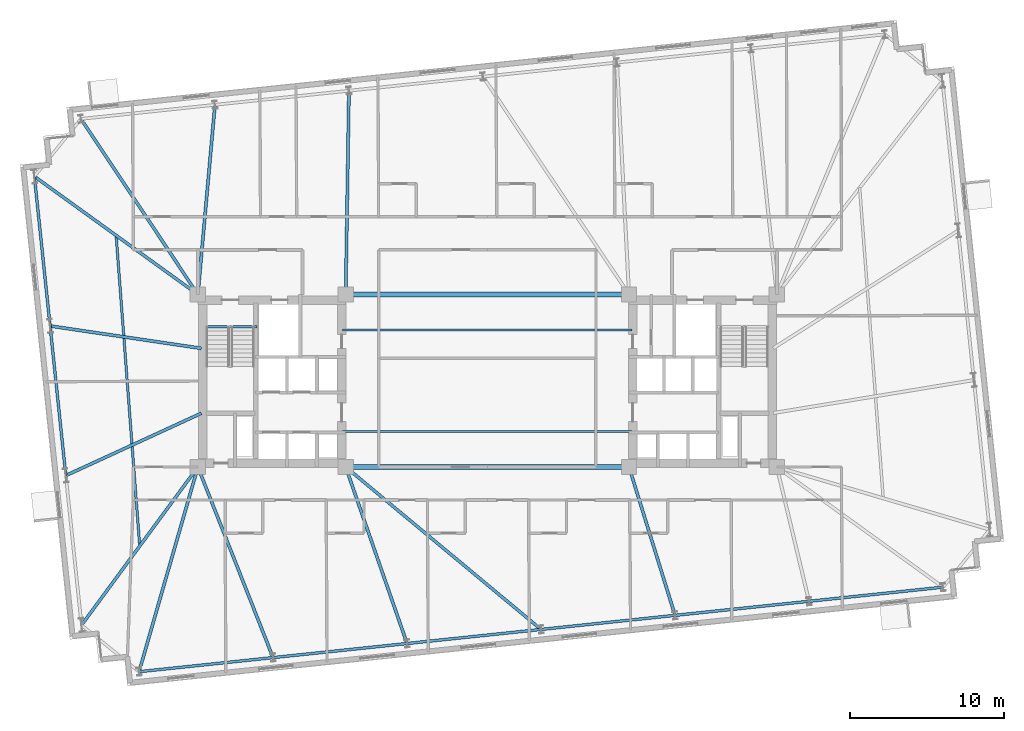
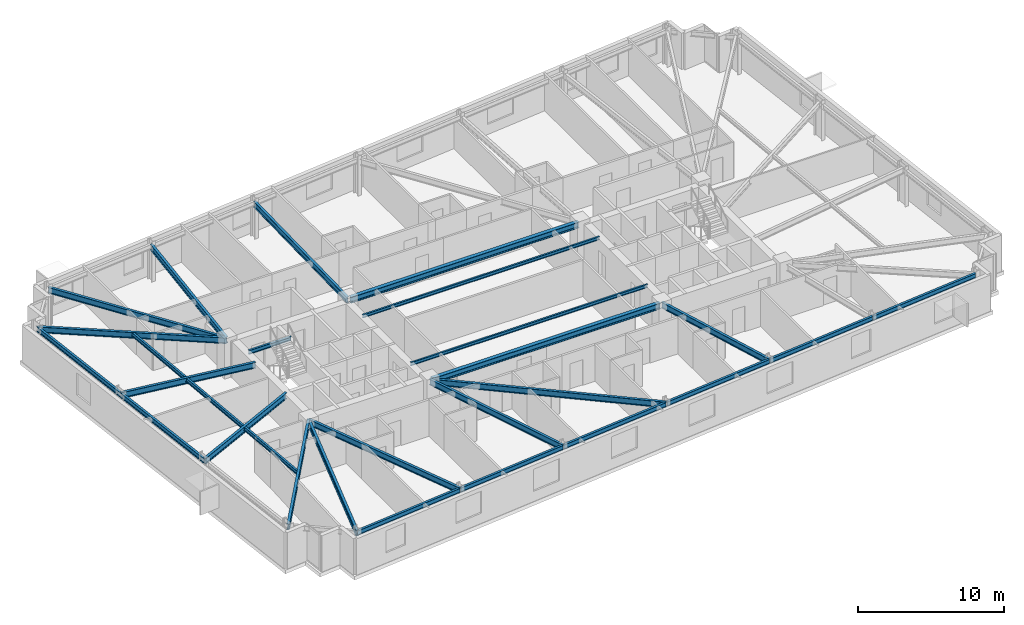
# One storey, part 5 of 18: 26 beams.
"""IFC4 building model written with IfcOpenShell, lengths in metres."""

from ifc_helpers import new_model, si_unit, direction, frame, origin, origin_2d, place, context, subcontext, project, spatial, i_section, extrude, material, material_profile, profile_set, type_object, element, save


model = new_model("IFC4")

# Units and contexts
model_context = context("Model", 3, precision=1e-05, world=origin(), true_north=direction((0.0, 1.0)))
body_context = subcontext(model_context, "Body", "Model", "MODEL_VIEW")
ifc_project = project(units=[si_unit("LENGTHUNIT", "METRE"), si_unit("AREAUNIT", "SQUARE_METRE"), si_unit("VOLUMEUNIT", "CUBIC_METRE"), si_unit("PLANEANGLEUNIT", "RADIAN"), si_unit("MASSUNIT", "GRAM", prefix="KILO")], contexts=[model_context])

# Site, building, storey
site_placement = place(None, origin())
site = spatial("IfcSite", under=ifc_project, at=site_placement, CompositionType="ELEMENT")
building_placement = place(site_placement, origin())
building = spatial("IfcBuilding", under=site, at=building_placement, Name="Qobustan Lattice House", CompositionType="ELEMENT")
storey_placement = place(building_placement, frame((0.0, 0.0, 119.199951171875)))
storey = spatial("IfcBuildingStorey", under=building, at=storey_placement, Name="L33", CompositionType="ELEMENT", Elevation=119.199951171875)

# Beams
ifc_material_1 = material(Name="Steel S355", Category="steel")
ifc_material_profile_1 = material_profile(ifc_material_1, i_section(OverallWidth=0.300048828125, OverallDepth=0.5, WebThickness=0.014404296875, FlangeThickness=0.028076171875, FilletRadius=0.027099609375, at=origin_2d()), Name="HEB500")
ifc_profile_set_1 = profile_set([ifc_material_profile_1], Name="Steel S355")
beam_type_1 = type_object("IfcBeamType", Name="BM-CG-HEB500", PredefinedType="USERDEFINED", material=ifc_profile_set_1)
for number, where, z_axis, x_axis, name in (
    (1, (-9.050048828125, -5.60009765625, 2.795166015625), (1.0, 0.0, 0.0), (0.0, 1.0, 0.0), "L33 core spine girder CG-CS"),
    (2, (-9.050048828125, 5.60009765625, 2.795166015625), (1.0, 0.0, 0.0), (0.0, 1.0, 0.0), "L33 core spine girder CG-CN"),
):
    element("IfcBeam", number, at=place(storey_placement, frame(where, z_axis=z_axis, x_axis=x_axis)), inside=storey, type_object=beam_type_1, Name=name, ObjectType="GIRDER", PredefinedType="USERDEFINED", context=body_context, shape_type="SweptSolid", body=[
        extrude(i_section(OverallWidth=0.300048828125, OverallDepth=0.5, WebThickness=0.014404296875, FlangeThickness=0.028076171875, FilletRadius=0.027099609375, at=origin_2d()), origin(), (0.0, 0.0, 1.0), 18.10009765625),
    ])
ifc_material_2 = material(Name="Steel S355", Category="steel")
ifc_material_profile_2 = material_profile(ifc_material_2, i_section(OverallWidth=0.199951171875, OverallDepth=0.5, WebThickness=0.01025390625, FlangeThickness=0.01611328125, FilletRadius=0.02099609375, at=origin_2d()), Name="IPE500")
ifc_profile_set_2 = profile_set([ifc_material_profile_2], Name="Steel S355")
beam_type_2 = type_object("IfcBeamType", Name="BM-FLG-IPE500", PredefinedType="USERDEFINED", material=ifc_profile_set_2)
beam_1_placement = place(storey_placement, frame((-22.612548828125, -18.87109375, 2.795166015625), z_axis=(0.276115177845, 0.961124554136, 0.0), x_axis=(-0.961124554136, 0.276115177845, 0.0)))
element("IfcBeam", 3, at=beam_1_placement, inside=storey, type_object=beam_type_2, Name="L33 primary floor girder RAD-S1W", ObjectType="GIRDER", PredefinedType="USERDEFINED", context=body_context, shape_type="SweptSolid", body=[
    extrude(i_section(OverallWidth=0.199951171875, OverallDepth=0.5, WebThickness=0.01025390625, FlangeThickness=0.01611328125, FilletRadius=0.02099609375, at=origin_2d()), origin(), (0.0, 0.0, 1.0), 13.782958984375),
])
beam_2_placement = place(storey_placement, frame((-13.926513671875, -17.95703125, 2.795166015625), z_axis=(-0.366884358141, 0.930266557365, 0.0), x_axis=(-0.930266557365, -0.366884358141, 0.0)))
element("IfcBeam", 4, at=beam_2_placement, inside=storey, type_object=beam_type_2, Name="L33 primary floor girder RAD-S2", ObjectType="GIRDER", PredefinedType="USERDEFINED", context=body_context, shape_type="SweptSolid", body=[
    extrude(i_section(OverallWidth=0.199951171875, OverallDepth=0.5, WebThickness=0.01025390625, FlangeThickness=0.01611328125, FilletRadius=0.02099609375, at=origin_2d()), origin(), (0.0, 0.0, 1.0), 13.25830078125),
])
beam_3_placement = place(storey_placement, frame((-5.223388671875, -17.0419921875, 2.795166015625), z_axis=(-0.328289533586, 0.94457714462, 0.0), x_axis=(-0.94457714462, -0.328289533586, 0.0)))
element("IfcBeam", 5, at=beam_3_placement, inside=storey, type_object=beam_type_2, Name="L33 primary floor girder RAD-S3", ObjectType="GIRDER", PredefinedType="USERDEFINED", context=body_context, shape_type="SweptSolid", body=[
    extrude(i_section(OverallWidth=0.199951171875, OverallDepth=0.5, WebThickness=0.01025390625, FlangeThickness=0.01611328125, FilletRadius=0.02099609375, at=origin_2d()), origin(), (0.0, 0.0, 1.0), 12.08837890625),
])
beam_4_placement = place(storey_placement, frame((3.467529296875, -16.135009765625, 2.795166015625), z_axis=(-0.768858311844, 0.639419186691, 0.0), x_axis=(-0.639419186691, -0.768858311844, 0.0)))
element("IfcBeam", 6, at=beam_4_placement, inside=storey, type_object=beam_type_2, Name="L33 primary floor girder RAD-S4", ObjectType="GIRDER", PredefinedType="USERDEFINED", context=body_context, shape_type="SweptSolid", body=[
    extrude(i_section(OverallWidth=0.199951171875, OverallDepth=0.5, WebThickness=0.01025390625, FlangeThickness=0.01611328125, FilletRadius=0.02099609375, at=origin_2d()), origin(), (0.0, 0.0, 1.0), 16.450927734375),
])
beam_5_placement = place(storey_placement, frame((12.181396484375, -15.212646484375, 2.795166015625), z_axis=(-0.296219460995, 0.955119903953, 0.0), x_axis=(-0.955119903953, -0.296219460995, 0.0)))
element("IfcBeam", 7, at=beam_5_placement, inside=storey, type_object=beam_type_2, Name="L33 primary floor girder RAD-S5", ObjectType="GIRDER", PredefinedType="USERDEFINED", context=body_context, shape_type="SweptSolid", body=[
    extrude(i_section(OverallWidth=0.199951171875, OverallDepth=0.5, WebThickness=0.01025390625, FlangeThickness=0.01611328125, FilletRadius=0.02099609375, at=origin_2d()), origin(), (0.0, 0.0, 1.0), 10.03955078125),
])
beam_6_placement = place(storey_placement, frame((-26.37890625, 16.986328125, 2.795166015625), z_axis=(0.5540893103, -0.832457227857, 0.0), x_axis=(0.832457227857, 0.5540893103, 0.0)))
element("IfcBeam", 8, at=beam_6_placement, inside=storey, type_object=beam_type_2, Name="L33 primary floor girder RAD-N7W", ObjectType="GIRDER", PredefinedType="USERDEFINED", context=body_context, shape_type="SweptSolid", body=[
    extrude(i_section(OverallWidth=0.199951171875, OverallDepth=0.5, WebThickness=0.01025390625, FlangeThickness=0.01611328125, FilletRadius=0.02099609375, at=origin_2d()), origin(), (0.0, 0.0, 1.0), 13.65283203125),
])
beam_7_placement = place(storey_placement, frame((-17.693115234375, 17.89697265625, 2.795166015625), z_axis=(-0.089658533603, -0.995972563554, 0.0), x_axis=(0.995972563554, -0.089658533603, 0.0)))
element("IfcBeam", 9, at=beam_7_placement, inside=storey, type_object=beam_type_2, Name="L33 primary floor girder RAD-N6", ObjectType="GIRDER", PredefinedType="USERDEFINED", context=body_context, shape_type="SweptSolid", body=[
    extrude(i_section(OverallWidth=0.199951171875, OverallDepth=0.5, WebThickness=0.01025390625, FlangeThickness=0.01611328125, FilletRadius=0.02099609375, at=origin_2d()), origin(), (0.0, 0.0, 1.0), 12.321533203125),
])
beam_8_placement = place(storey_placement, frame((-8.9892578125, 18.8115234375, 2.795166015625), z_axis=(-0.015957384359, -0.999872672836, 0.0), x_axis=(0.999872672836, -0.015957384359, 0.0)))
element("IfcBeam", 10, at=beam_8_placement, inside=storey, type_object=beam_type_2, Name="L33 primary floor girder RAD-N5", ObjectType="GIRDER", PredefinedType="USERDEFINED", context=body_context, shape_type="SweptSolid", body=[
    extrude(i_section(OverallWidth=0.199951171875, OverallDepth=0.5, WebThickness=0.01025390625, FlangeThickness=0.01611328125, FilletRadius=0.02099609375, at=origin_2d()), origin(), (0.0, 0.0, 1.0), 13.188232421875),
])
beam_9_placement = place(storey_placement, frame((-29.398681640625, 13.255859375, 2.795166015625), z_axis=(0.810627425394, -0.585562274399, 0.0), x_axis=(0.585562274399, 0.810627425394, 0.0)))
element("IfcBeam", 11, at=beam_9_placement, inside=storey, type_object=beam_type_2, Name="L33 primary floor girder RAD-W1", ObjectType="GIRDER", PredefinedType="USERDEFINED", context=body_context, shape_type="SweptSolid", body=[
    extrude(i_section(OverallWidth=0.199951171875, OverallDepth=0.5, WebThickness=0.01025390625, FlangeThickness=0.01611328125, FilletRadius=0.02099609375, at=origin_2d()), origin(), (0.0, 0.0, 1.0), 13.049560546875),
])
beam_10_placement = place(storey_placement, frame((-28.373291015625, 3.5537109375, 2.795166015625), z_axis=(0.989228195022, -0.146381618294, 0.0), x_axis=(0.146381618294, 0.989228195022, 0.0)))
element("IfcBeam", 12, at=beam_10_placement, inside=storey, type_object=beam_type_2, Name="L33 primary floor girder RAD-W2", ObjectType="GIRDER", PredefinedType="USERDEFINED", context=body_context, shape_type="SweptSolid", body=[
    extrude(i_section(OverallWidth=0.199951171875, OverallDepth=0.5, WebThickness=0.01025390625, FlangeThickness=0.01611328125, FilletRadius=0.02099609375, at=origin_2d()), origin(), (0.0, 0.0, 1.0), 9.9052734375),
])
beam_11_placement = place(storey_placement, frame((-27.3544921875, -6.1455078125, 2.795166015625), z_axis=(0.908664928826, 0.417526103521, 0.0), x_axis=(-0.417526103521, 0.908664928826, 0.0)))
element("IfcBeam", 13, at=beam_11_placement, inside=storey, type_object=beam_type_2, Name="L33 primary floor girder RAD-W3", ObjectType="GIRDER", PredefinedType="USERDEFINED", context=body_context, shape_type="SweptSolid", body=[
    extrude(i_section(OverallWidth=0.199951171875, OverallDepth=0.5, WebThickness=0.01025390625, FlangeThickness=0.01611328125, FilletRadius=0.02099609375, at=origin_2d()), origin(), (0.0, 0.0, 1.0), 9.66455078125),
])
beam_12_placement = place(storey_placement, frame((-26.34130859375, -15.848876953125, 2.795166015625), z_axis=(0.592669703312, 0.805445605101, 0.0), x_axis=(-0.805445605101, 0.592669703312, 0.0)))
element("IfcBeam", 14, at=beam_12_placement, inside=storey, type_object=beam_type_2, Name="L33 primary floor girder RAD-W4", ObjectType="GIRDER", PredefinedType="USERDEFINED", context=body_context, shape_type="SweptSolid", body=[
    extrude(i_section(OverallWidth=0.199951171875, OverallDepth=0.5, WebThickness=0.01025390625, FlangeThickness=0.01611328125, FilletRadius=0.02099609375, at=origin_2d()), origin(), (0.0, 0.0, 1.0), 12.699462890625),
])
ifc_material_3 = material(Name="Steel S355", Category="steel")
ifc_material_profile_3 = material_profile(ifc_material_3, i_section(OverallWidth=0.135009765625, OverallDepth=0.27001953125, WebThickness=0.006591796875, FlangeThickness=0.01025390625, FilletRadius=0.014892578125, at=origin_2d()), Name="IPE270")
ifc_profile_set_3 = profile_set([ifc_material_profile_3], Name="Steel S355")
beam_type_3 = type_object("IfcBeamType", Name="BM-JST-IPE270", PredefinedType="JOIST", material=ifc_profile_set_3)
for number, where, z_axis, x_axis, name in (
    (15, (-9.39990234375, -3.300048828125, 2.91015625), (1.0, 0.0, 0.0), (0.0, 1.0, 0.0), "L33 central span floor joist 1"),
    (16, (-9.39990234375, 3.300048828125, 2.91015625), (1.0, 0.0, 0.0), (0.0, 1.0, 0.0), "L33 central span floor joist 2"),
):
    element("IfcBeam", number, at=place(storey_placement, frame(where, z_axis=z_axis, x_axis=x_axis)), inside=storey, type_object=beam_type_3, Name=name, PredefinedType="JOIST", context=body_context, shape_type="SweptSolid", body=[
        extrude(i_section(OverallWidth=0.135009765625, OverallDepth=0.27001953125, WebThickness=0.006591796875, FlangeThickness=0.01025390625, FilletRadius=0.014892578125, at=origin_2d()), origin(), (0.0, 0.0, 1.0), 18.7998046875),
    ])
ifc_material_4 = material(Name="Steel S355", Category="steel")
ifc_material_profile_4 = material_profile(ifc_material_4, i_section(OverallWidth=0.159912109375, OverallDepth=0.330078125, WebThickness=0.007568359375, FlangeThickness=0.011474609375, FilletRadius=0.01806640625, at=origin_2d()), Name="IPE330")
ifc_profile_set_4 = profile_set([ifc_material_profile_4], Name="Steel S355")
beam_type_4 = type_object("IfcBeamType", Name="BM-SEC-IPE330", PredefinedType="BEAM", material=ifc_profile_set_4)
beam_13_placement = place(storey_placement, frame((-24.109619140625, 9.435302734375, 2.880126953125), z_axis=(0.07571166528, -0.997129752711, 0.0), x_axis=(0.997129752711, 0.07571166528, 0.0)))
element("IfcBeam", 17, at=beam_13_placement, inside=storey, type_object=beam_type_4, Name="L33 west wing secondary beam", PredefinedType="BEAM", context=body_context, shape_type="SweptSolid", body=[
    extrude(i_section(OverallWidth=0.159912109375, OverallDepth=0.330078125, WebThickness=0.007568359375, FlangeThickness=0.011474609375, FilletRadius=0.01806640625, at=origin_2d()), origin(), (0.0, 0.0, 1.0), 20.22802734375),
])
ifc_material_5 = material(Name="Steel S355", Category="steel")
ifc_material_profile_5 = material_profile(ifc_material_5, i_section(OverallWidth=0.159912109375, OverallDepth=0.330078125, WebThickness=0.007568359375, FlangeThickness=0.011474609375, FilletRadius=0.01806640625, at=origin_2d()), Name="IPE330")
ifc_profile_set_5 = profile_set([ifc_material_profile_5], Name="Steel S355")
beam_type_5 = type_object("IfcBeamType", Name="BM-SPD-IPE330", PredefinedType="SPANDREL", material=ifc_profile_set_5)
beam_14_placement = place(storey_placement, frame((-18.300048828125, 3.52001953125, 2.880126953125), z_axis=(1.0, 0.0, 0.0), x_axis=(0.0, 1.0, 0.0)))
element("IfcBeam", 18, at=beam_14_placement, inside=storey, type_object=beam_type_5, Name="L33 west stair landing trimmer beam", PredefinedType="SPANDREL", context=body_context, shape_type="SweptSolid", body=[
    extrude(i_section(OverallWidth=0.159912109375, OverallDepth=0.330078125, WebThickness=0.007568359375, FlangeThickness=0.011474609375, FilletRadius=0.01806640625, at=origin_2d()), origin(), (0.0, 0.0, 1.0), 3.35009765625),
])
ifc_material_6 = material(Name="Steel S355", Category="steel")
ifc_material_profile_6 = material_profile(ifc_material_6, i_section(OverallWidth=0.179931640625, OverallDepth=0.39990234375, WebThickness=0.008544921875, FlangeThickness=0.013427734375, FilletRadius=0.02099609375, at=origin_2d()), Name="IPE400")
ifc_profile_set_6 = profile_set([ifc_material_profile_6], Name="Steel S355")
beam_type_6 = type_object("IfcBeamType", Name="BM-SPD-IPE400", PredefinedType="SPANDREL", material=ifc_profile_set_6)
beam_15_placement = place(storey_placement, frame((-22.594482421875, -18.892333984375, 2.844970703125), z_axis=(0.994521279781, 0.10453432002, 0.0), x_axis=(-0.10453432002, 0.994521279781, 0.0)))
element("IfcBeam", 19, at=beam_15_placement, inside=storey, type_object=beam_type_6, Name="L33 perimeter spandrel S1-S2", PredefinedType="SPANDREL", context=body_context, shape_type="SweptSolid", body=[
    extrude(i_section(OverallWidth=0.179931640625, OverallDepth=0.39990234375, WebThickness=0.008544921875, FlangeThickness=0.013427734375, FilletRadius=0.02099609375, at=origin_2d()), origin(), (0.0, 0.0, 1.0), 8.69970703125),
])
for number, where, z_axis, x_axis, name in (
    (20, (-13.892578125, -17.977783203125, 2.844970703125), (0.994521586424, 0.104531402636, 0.0), (-0.104531402636, 0.994521586424, 0.0), "L33 perimeter spandrel S2-S3"),
    (21, (-5.1904296875, -17.06298828125, 2.844970703125), (0.994524503348, 0.104503647022, 0.0), (-0.104503647022, 0.994524503348, 0.0), "L33 perimeter spandrel S3-S4"),
):
    element("IfcBeam", number, at=place(storey_placement, frame(where, z_axis=z_axis, x_axis=x_axis)), inside=storey, type_object=beam_type_6, Name=name, PredefinedType="SPANDREL", context=body_context, shape_type="SweptSolid", body=[
        extrude(i_section(OverallWidth=0.179931640625, OverallDepth=0.39990234375, WebThickness=0.008544921875, FlangeThickness=0.013427734375, FilletRadius=0.02099609375, at=origin_2d()), origin(), (0.0, 0.0, 1.0), 8.699951171875),
    ])
beam_16_placement = place(storey_placement, frame((3.51171875, -16.1484375, 2.844970703125), z_axis=(0.994521279781, 0.10453432002, 0.0), x_axis=(-0.10453432002, 0.994521279781, 0.0)))
element("IfcBeam", 22, at=beam_16_placement, inside=storey, type_object=beam_type_6, Name="L33 perimeter spandrel S4-S5", PredefinedType="SPANDREL", context=body_context, shape_type="SweptSolid", body=[
    extrude(i_section(OverallWidth=0.179931640625, OverallDepth=0.39990234375, WebThickness=0.008544921875, FlangeThickness=0.013427734375, FilletRadius=0.02099609375, at=origin_2d()), origin(), (0.0, 0.0, 1.0), 8.69970703125),
])
for number, where, z_axis, x_axis, name in (
    (23, (12.213623046875, -15.23388671875, 2.844970703125), (0.994521586424, 0.104531402636, 0.0), (-0.104531402636, 0.994521586424, 0.0), "L33 perimeter spandrel S5-S6"),
    (24, (20.915771484375, -14.3193359375, 2.844970703125), (0.994521586424, 0.104531402636, 0.0), (-0.104531402636, 0.994521586424, 0.0), "L33 perimeter spandrel S6-S7"),
):
    element("IfcBeam", number, at=place(storey_placement, frame(where, z_axis=z_axis, x_axis=x_axis)), inside=storey, type_object=beam_type_6, Name=name, PredefinedType="SPANDREL", context=body_context, shape_type="SweptSolid", body=[
        extrude(i_section(OverallWidth=0.179931640625, OverallDepth=0.39990234375, WebThickness=0.008544921875, FlangeThickness=0.013427734375, FilletRadius=0.02099609375, at=origin_2d()), origin(), (0.0, 0.0, 1.0), 8.699951171875),
    ])
beam_17_placement = place(storey_placement, frame((-29.416259765625, 13.24560546875, 2.844970703125), z_axis=(0.104525214252, -0.994522236848, 0.0), x_axis=(0.994522236848, 0.104525214252, 0.0)))
element("IfcBeam", 25, at=beam_17_placement, inside=storey, type_object=beam_type_6, Name="L33 perimeter spandrel W1-W2", PredefinedType="SPANDREL", context=body_context, shape_type="SweptSolid", body=[
    extrude(i_section(OverallWidth=0.179931640625, OverallDepth=0.39990234375, WebThickness=0.008544921875, FlangeThickness=0.013427734375, FilletRadius=0.02099609375, at=origin_2d()), origin(), (0.0, 0.0, 1.0), 9.716552734375),
])
beam_18_placement = place(storey_placement, frame((-28.3955078125, 3.532470703125, 2.844970703125), z_axis=(0.104547453407, -0.994519899241, 0.0), x_axis=(0.994519899241, 0.104547453407, 0.0)))
element("IfcBeam", 26, at=beam_18_placement, inside=storey, type_object=beam_type_6, Name="L33 perimeter spandrel W2-W3", PredefinedType="SPANDREL", context=body_context, shape_type="SweptSolid", body=[
    extrude(i_section(OverallWidth=0.179931640625, OverallDepth=0.39990234375, WebThickness=0.008544921875, FlangeThickness=0.013427734375, FilletRadius=0.02099609375, at=origin_2d()), origin(), (0.0, 0.0, 1.0), 9.716796875),
])

save(model, "model.ifc")
